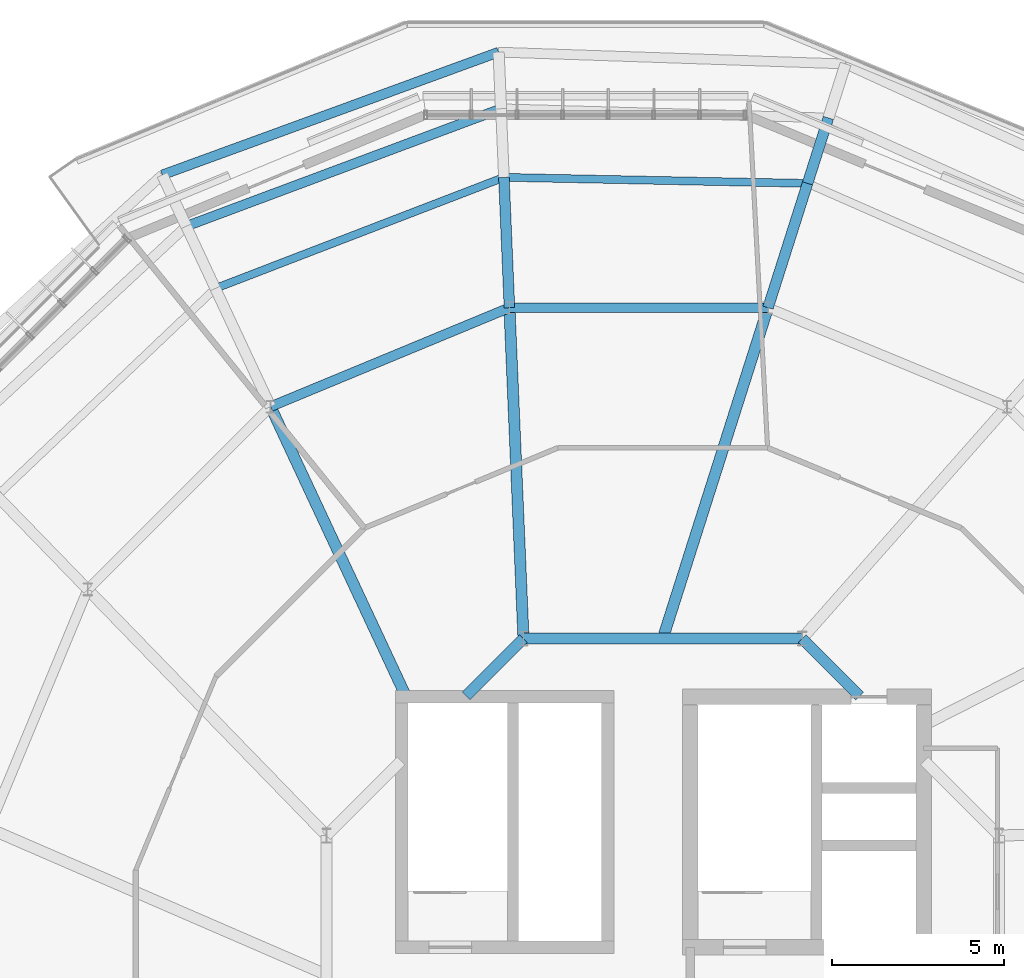
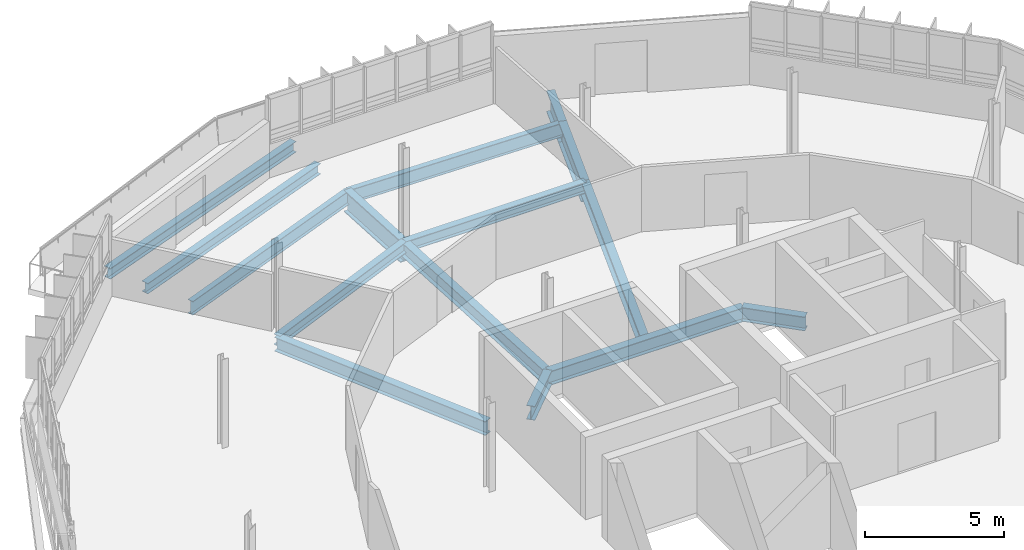
# One storey, part 18 of 31: 15 beams.
"""IFC4 building model written with IfcOpenShell, lengths in metres."""

from ifc_helpers import new_model, si_unit, derived_unit, direction, frame, origin, origin_2d, place, context, subcontext, project, spatial, i_section, extrude, material, material_profile, profile_set, type_object, element, save


model = new_model("IFC4")

# Units and contexts
model_context = context("Model", 3, precision=1e-05, world=origin(), true_north=direction((0.0, 1.0)))
body_context = subcontext(model_context, "Body", "Model", "MODEL_VIEW")
ifc_project = project(units=[si_unit("LENGTHUNIT", "METRE"), si_unit("AREAUNIT", "SQUARE_METRE"), si_unit("VOLUMEUNIT", "CUBIC_METRE"), si_unit("PLANEANGLEUNIT", "RADIAN"), si_unit("MASSUNIT", "GRAM", prefix="KILO"), derived_unit("THERMALTRANSMITTANCEUNIT", [(si_unit("MASSUNIT", "GRAM", prefix="KILO"), 1), (si_unit("TIMEUNIT", "SECOND"), -3), (si_unit("THERMODYNAMICTEMPERATUREUNIT", "KELVIN"), -1)])], contexts=[model_context])

# Site, building, storey
site_placement = place(None, origin())
site = spatial("IfcSite", under=ifc_project, at=site_placement, CompositionType="ELEMENT")
building_placement = place(site_placement, origin())
building = spatial("IfcBuilding", under=site, at=building_placement, Name="Makaiwela Harbour Ferry Terminal", CompositionType="ELEMENT")
storey_placement = place(building_placement, frame((0.0, 0.0, 21.60009765625)))
storey = spatial("IfcBuildingStorey", under=building, at=storey_placement, Name="L05", CompositionType="ELEMENT", Elevation=21.60009765625)

# Beams
ifc_material = material(Name="Steel ASTM A992 Grade 50", Category="steel")
ifc_material_profile_1 = material_profile(ifc_material, i_section(OverallWidth=0.280029296875, OverallDepth=0.462890625, WebThickness=0.0107421875, FlangeThickness=0.017333984375, at=origin_2d()), Name="W18X76")
ifc_profile_set_1 = profile_set([ifc_material_profile_1], Name="Steel ASTM A992 Grade 50")
beam_type_1 = type_object("IfcBeamType", Name="STR-BM-W18X76", PredefinedType="BEAM", material=ifc_profile_set_1)
beam_1_placement = place(storey_placement, frame((33.089111328125, 92.823974609375, -0.481689453125), z_axis=(-0.936858190417, -0.349709495222, 0.0), x_axis=(0.349709495222, -0.936858190417, 0.0)))
element("IfcBeam", 1, at=beam_1_placement, inside=storey, type_object=beam_type_1, Name="Drum stage2 tie girder 586", PredefinedType="BEAM", context=body_context, shape_type="SweptSolid", body=[
    extrude(i_section(OverallWidth=0.280029296875, OverallDepth=0.462890625, WebThickness=0.0107421875, FlangeThickness=0.017333984375, at=origin_2d()), origin(), (0.0, 0.0, 1.0), 9.78564453125),
])
ifc_material_profile_2 = material_profile(ifc_material, i_section(OverallWidth=0.324951171875, OverallDepth=0.615966796875, WebThickness=0.013916015625, FlangeThickness=0.021484375, at=origin_2d()), Name="W24X117")
ifc_profile_set_2 = profile_set([ifc_material_profile_2], Name="Steel ASTM A992 Grade 50")
beam_type_2 = type_object("IfcBeamType", Name="STR-GRD-W24X117", PredefinedType="USERDEFINED", material=ifc_profile_set_2)
beam_2_placement = place(storey_placement, frame((43.529541015625, 75.719970703125, -0.55810546875), z_axis=(-0.707106781187, 0.707106781187, 0.0), x_axis=(-0.707106781187, -0.707106781187, 0.0)))
element("IfcBeam", 2, at=beam_2_placement, inside=storey, type_object=beam_type_2, Name="Drum inner ring girder 497", ObjectType="GIRDER", PredefinedType="USERDEFINED", context=body_context, shape_type="SweptSolid", body=[
    extrude(i_section(OverallWidth=0.324951171875, OverallDepth=0.615966796875, WebThickness=0.013916015625, FlangeThickness=0.021484375, at=origin_2d()), origin(), (0.0, 0.0, 1.0), 2.3662109375),
])
beam_3_placement = place(storey_placement, frame((41.8564453125, 77.39306640625, -0.55810546875), z_axis=(-1.0, 0.0, 0.0), x_axis=(0.0, -1.0, 0.0)))
element("IfcBeam", 3, at=beam_3_placement, inside=storey, type_object=beam_type_2, Name="Drum inner ring girder 498", ObjectType="GIRDER", PredefinedType="USERDEFINED", context=body_context, shape_type="SweptSolid", body=[
    extrude(i_section(OverallWidth=0.324951171875, OverallDepth=0.615966796875, WebThickness=0.013916015625, FlangeThickness=0.021484375, at=origin_2d()), origin(), (0.0, 0.0, 1.0), 8.11279296875),
])
beam_4_placement = place(storey_placement, frame((33.74365234375, 77.39306640625, -0.55810546875), z_axis=(-0.707106781187, -0.707106781187, 0.0), x_axis=(0.707106781187, -0.707106781187, 0.0)))
element("IfcBeam", 4, at=beam_4_placement, inside=storey, type_object=beam_type_2, Name="Drum inner ring girder 499", ObjectType="GIRDER", PredefinedType="USERDEFINED", context=body_context, shape_type="SweptSolid", body=[
    extrude(i_section(OverallWidth=0.324951171875, OverallDepth=0.615966796875, WebThickness=0.013916015625, FlangeThickness=0.021484375, at=origin_2d()), origin(), (0.0, 0.0, 1.0), 2.3662109375),
])
beam_5_placement = place(storey_placement, frame((37.800048828125, 77.39306640625, -0.55810546875), z_axis=(0.303123932236, 0.952951143399, 0.0), x_axis=(-0.952951143399, 0.303123932236, 0.0)))
element("IfcBeam", 5, at=beam_5_placement, inside=storey, type_object=beam_type_2, Name="Drum radial girder 533", ObjectType="GIRDER", PredefinedType="USERDEFINED", context=body_context, shape_type="SweptSolid", body=[
    extrude(i_section(OverallWidth=0.324951171875, OverallDepth=0.615966796875, WebThickness=0.013916015625, FlangeThickness=0.021484375, at=origin_2d()), origin(), (0.0, 0.0, 1.0), 10.112060546875),
])
beam_6_placement = place(storey_placement, frame((33.74365234375, 77.39306640625, -0.55810546875), z_axis=(-0.042399132515, 0.999100752458, 0.0), x_axis=(-0.999100752458, -0.042399132515, 0.0)))
element("IfcBeam", 6, at=beam_6_placement, inside=storey, type_object=beam_type_2, Name="Drum radial girder 537", ObjectType="GIRDER", PredefinedType="USERDEFINED", context=body_context, shape_type="SweptSolid", body=[
    extrude(i_section(OverallWidth=0.324951171875, OverallDepth=0.615966796875, WebThickness=0.013916015625, FlangeThickness=0.021484375, at=origin_2d()), origin(), (0.0, 0.0, 1.0), 9.64501953125),
])
beam_7_placement = place(storey_placement, frame((30.30712890625, 75.739990234375, -0.55810546875), z_axis=(-0.423434085994, 0.905926914722, 0.0), x_axis=(-0.905926914722, -0.423434085994, 0.0)))
element("IfcBeam", 7, at=beam_7_placement, inside=storey, type_object=beam_type_2, Name="Drum radial girder 541", ObjectType="GIRDER", PredefinedType="USERDEFINED", context=body_context, shape_type="SweptSolid", body=[
    extrude(i_section(OverallWidth=0.324951171875, OverallDepth=0.615966796875, WebThickness=0.013916015625, FlangeThickness=0.021484375, at=origin_2d()), origin(), (0.0, 0.0, 1.0), 9.280517578125),
])
ifc_material_profile_3 = material_profile(ifc_material, i_section(OverallWidth=0.22900390625, OverallDepth=0.612060546875, WebThickness=0.011962890625, FlangeThickness=0.01953125, at=origin_2d()), Name="W24X84")
ifc_profile_set_3 = profile_set([ifc_material_profile_3], Name="Steel ASTM A992 Grade 50")
beam_type_3 = type_object("IfcBeamType", Name="STR-GRD-W24X84", PredefinedType="USERDEFINED", material=ifc_profile_set_3)
beam_8_placement = place(storey_placement, frame((42.01708984375, 90.650390625, -0.55615234375), z_axis=(-0.999803608761, 0.019817767471, 0.0), x_axis=(-0.019817767471, -0.999803608761, 0.0)))
element("IfcBeam", 8, at=beam_8_placement, inside=storey, type_object=beam_type_3, Name="Drum overhang tie girder 583", ObjectType="GIRDER", PredefinedType="USERDEFINED", context=body_context, shape_type="SweptSolid", body=[
    extrude(i_section(OverallWidth=0.22900390625, OverallDepth=0.612060546875, WebThickness=0.011962890625, FlangeThickness=0.01953125, at=origin_2d()), origin(), (0.0, 0.0, 1.0), 8.84521484375),
])
beam_9_placement = place(storey_placement, frame((33.173583984375, 90.82568359375, -0.55615234375), z_axis=(-0.933232382004, -0.359273323779, 0.0), x_axis=(0.359273323779, -0.933232382004, 0.0)))
element("IfcBeam", 9, at=beam_9_placement, inside=storey, type_object=beam_type_3, Name="Drum overhang tie girder 585", ObjectType="GIRDER", PredefinedType="USERDEFINED", context=body_context, shape_type="SweptSolid", body=[
    extrude(i_section(OverallWidth=0.22900390625, OverallDepth=0.612060546875, WebThickness=0.011962890625, FlangeThickness=0.01953125, at=origin_2d()), origin(), (0.0, 0.0, 1.0), 9.006591796875),
])
ifc_material_profile_4 = material_profile(ifc_material, i_section(OverallWidth=0.31005859375, OverallDepth=0.949951171875, WebThickness=0.0244140625, FlangeThickness=0.0439453125, at=origin_2d()), Name="W36X256")
ifc_profile_set_4 = profile_set([ifc_material_profile_4], Name="Steel ASTM A992 Grade 50")
beam_type_4 = type_object("IfcBeamType", Name="STR-GRD-W36X256", PredefinedType="USERDEFINED", material=ifc_profile_set_4)
beam_10_placement = place(storey_placement, frame((40.865234375, 87.029296875, -0.72509765625), z_axis=(0.303129401711, 0.952949403598, 0.0), x_axis=(-0.952949403598, 0.303129401711, 0.0)))
element("IfcBeam", 10, at=beam_10_placement, inside=storey, type_object=beam_type_4, Name="Drum radial overhang 534", ObjectType="GIRDER", PredefinedType="USERDEFINED", context=body_context, shape_type="SweptSolid", body=[
    extrude(i_section(OverallWidth=0.31005859375, OverallDepth=0.949951171875, WebThickness=0.0244140625, FlangeThickness=0.0439453125, at=origin_2d()), origin(), (0.0, 0.0, 1.0), 3.7998046875),
])
beam_11_placement = place(storey_placement, frame((42.01708984375, 90.650390625, -0.72509765625), z_axis=(0.303087773296, 0.95296264443, 0.0), x_axis=(-0.95296264443, 0.303087773296, 0.0)))
element("IfcBeam", 11, at=beam_11_placement, inside=storey, type_object=beam_type_4, Name="Drum overhang radial girder 535", ObjectType="GIRDER", PredefinedType="USERDEFINED", context=body_context, shape_type="SweptSolid", body=[
    extrude(i_section(OverallWidth=0.31005859375, OverallDepth=0.949951171875, WebThickness=0.0244140625, FlangeThickness=0.0439453125, at=origin_2d()), origin(), (0.0, 0.0, 1.0), 2.0),
])
beam_12_placement = place(storey_placement, frame((33.334716796875, 87.029296875, -0.72509765625), z_axis=(-0.042405550922, 0.999100480057, 0.0), x_axis=(-0.999100480057, -0.042405550922, 0.0)))
element("IfcBeam", 12, at=beam_12_placement, inside=storey, type_object=beam_type_4, Name="Drum radial overhang 538", ObjectType="GIRDER", PredefinedType="USERDEFINED", context=body_context, shape_type="SweptSolid", body=[
    extrude(i_section(OverallWidth=0.31005859375, OverallDepth=0.949951171875, WebThickness=0.0244140625, FlangeThickness=0.0439453125, at=origin_2d()), origin(), (0.0, 0.0, 1.0), 3.7998046875),
])
ifc_material_profile_5 = material_profile(ifc_material, i_section(OverallWidth=0.283935546875, OverallDepth=0.47607421875, WebThickness=0.014892578125, FlangeThickness=0.02392578125, at=origin_2d()), Name="W18X106")
ifc_profile_set_5 = profile_set([ifc_material_profile_5], Name="Steel ASTM A992 Grade 50")
beam_type_5 = type_object("IfcBeamType", Name="STR-SPN-W18X106", PredefinedType="SPANDREL", material=ifc_profile_set_5)
for number, where, z_axis, x_axis, name in (
    (13, (40.865234375, 87.029296875, -0.488037109375), (-1.0, 0.0, 0.0), (0.0, -1.0, 0.0), "Drum column ring girder 510"),
    (14, (33.334716796875, 87.029296875, -0.488037109375), (-0.923877743092, -0.382687752376, 0.0), (0.382687752376, -0.923877743092, 0.0), "Drum column ring girder 511"),
):
    element("IfcBeam", number, at=place(storey_placement, frame(where, z_axis=z_axis, x_axis=x_axis)), inside=storey, type_object=beam_type_5, Name=name, PredefinedType="SPANDREL", context=body_context, shape_type="SweptSolid", body=[
        extrude(i_section(OverallWidth=0.283935546875, OverallDepth=0.47607421875, WebThickness=0.014892578125, FlangeThickness=0.02392578125, at=origin_2d()), origin(), (0.0, 0.0, 1.0), 7.530517578125),
    ])
beam_13_placement = place(storey_placement, frame((33.01904296875, 94.472412109375, -0.488037109375), z_axis=(-0.939370966018, -0.342902592879, 0.0), x_axis=(0.342902592879, -0.939370966018, 0.0)))
element("IfcBeam", 15, at=beam_13_placement, inside=storey, type_object=beam_type_5, Name="Drum perimeter spandrel 606", PredefinedType="SPANDREL", context=body_context, shape_type="SweptSolid", body=[
    extrude(i_section(OverallWidth=0.283935546875, OverallDepth=0.47607421875, WebThickness=0.014892578125, FlangeThickness=0.02392578125, at=origin_2d()), origin(), (0.0, 0.0, 1.0), 10.428466796875),
])

save(model, "model.ifc")
